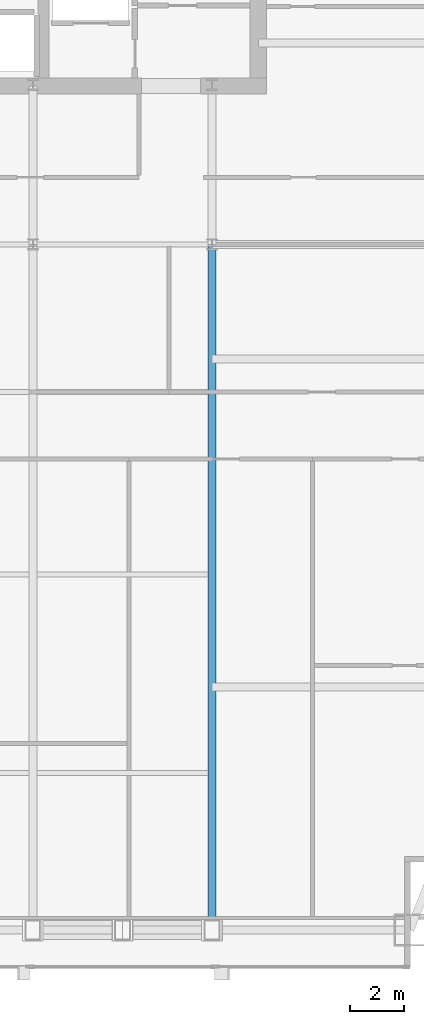
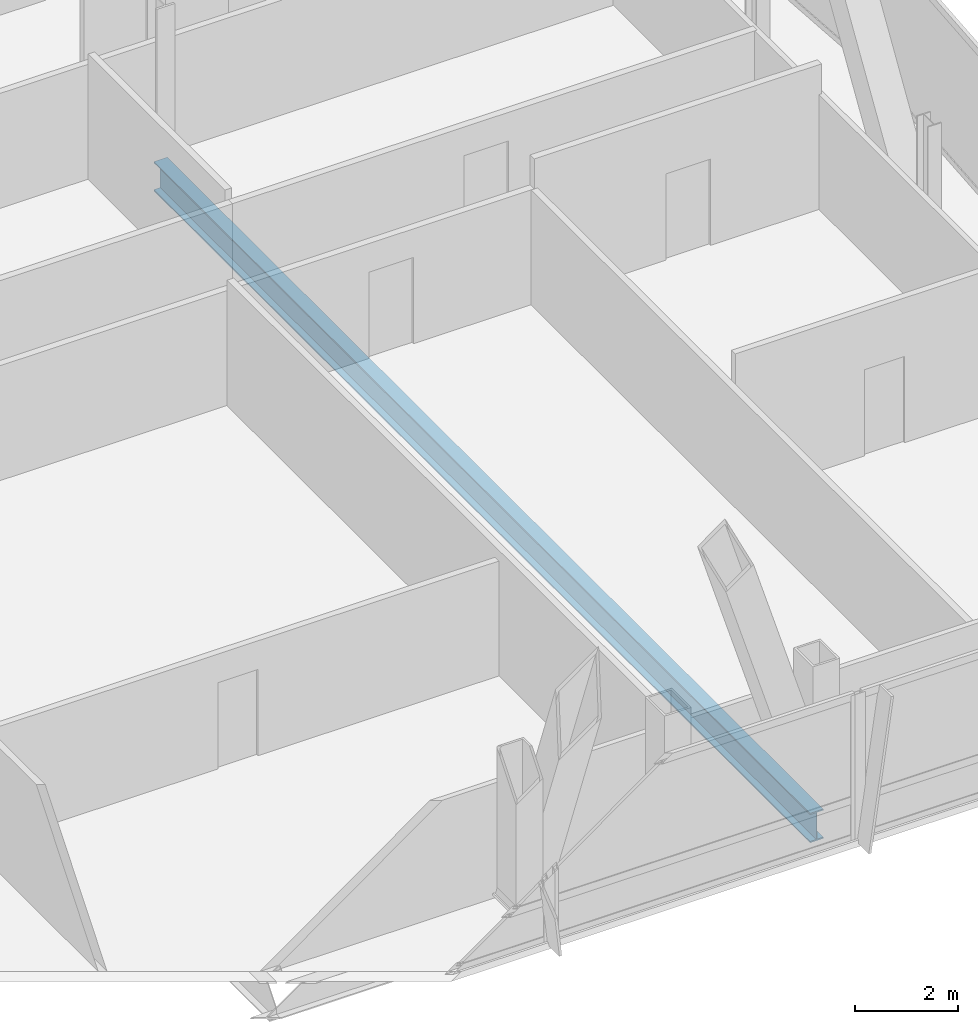
# One storey, part 16 of 33: 1 beam.
"""IFC4 building model written with IfcOpenShell, lengths in metres."""

from ifc_helpers import new_model, si_unit, direction, frame, origin, origin_2d, place, context, subcontext, project, spatial, i_section, extrude, material, material_profile, profile_set, type_object, element, save


model = new_model("IFC4")

# Units and contexts
model_context = context("Model", 3, precision=1e-05, world=origin(), true_north=direction((0.0, 1.0)))
body_context = subcontext(model_context, "Body", "Model", "MODEL_VIEW")
ifc_project = project(units=[si_unit("LENGTHUNIT", "METRE"), si_unit("AREAUNIT", "SQUARE_METRE"), si_unit("VOLUMEUNIT", "CUBIC_METRE"), si_unit("PLANEANGLEUNIT", "RADIAN"), si_unit("MASSUNIT", "GRAM", prefix="KILO")], contexts=[model_context])

# Site, building, storey
site_placement = place(None, origin())
site = spatial("IfcSite", under=ifc_project, at=site_placement, CompositionType="ELEMENT")
building_placement = place(site_placement, origin())
building = spatial("IfcBuilding", under=site, at=building_placement, Name="Khoronbel Lancet Exchange", CompositionType="ELEMENT")
storey_placement = place(building_placement, frame((0.0, 0.0, 210.199951171875)))
storey = spatial("IfcBuildingStorey", under=building, at=storey_placement, Name="L53", CompositionType="ELEMENT", Elevation=210.199951171875)

# Beam
ifc_material = material(Name="Steel S355", Category="steel")
ifc_material_profile = material_profile(ifc_material, i_section(OverallWidth=0.300048828125, OverallDepth=0.699951171875, WebThickness=0.01708984375, FlangeThickness=0.031982421875, at=origin_2d()), Name="HEB 700")
ifc_profile_set = profile_set([ifc_material_profile], Name="Steel S355")
beam_type = type_object("IfcBeamType", Name="BM-BG3", PredefinedType="BEAM", material=ifc_profile_set)
beam_placement = place(storey_placement, frame((54.675048828125, 10.14990234375, -0.510009765625), z_axis=(0.0, 1.0, 0.0), x_axis=(-1.0, 0.0, 0.0)))
element("IfcBeam", 1, at=beam_placement, inside=storey, type_object=beam_type, Name="Level L53 south primary girder GS6", PredefinedType="BEAM", context=body_context, shape_type="SweptSolid", body=[
    extrude(i_section(OverallWidth=0.300048828125, OverallDepth=0.699951171875, WebThickness=0.01708984375, FlangeThickness=0.031982421875, at=origin_2d()), origin(), (0.0, 0.0, 1.0), 25.550048828125),
])

save(model, "model.ifc")
